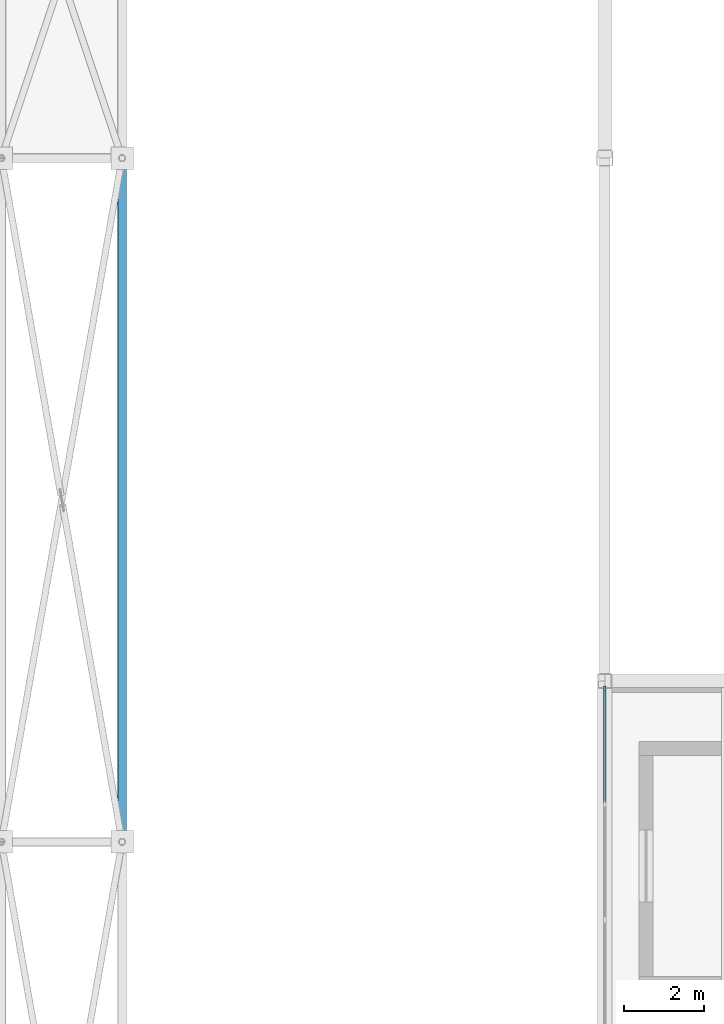
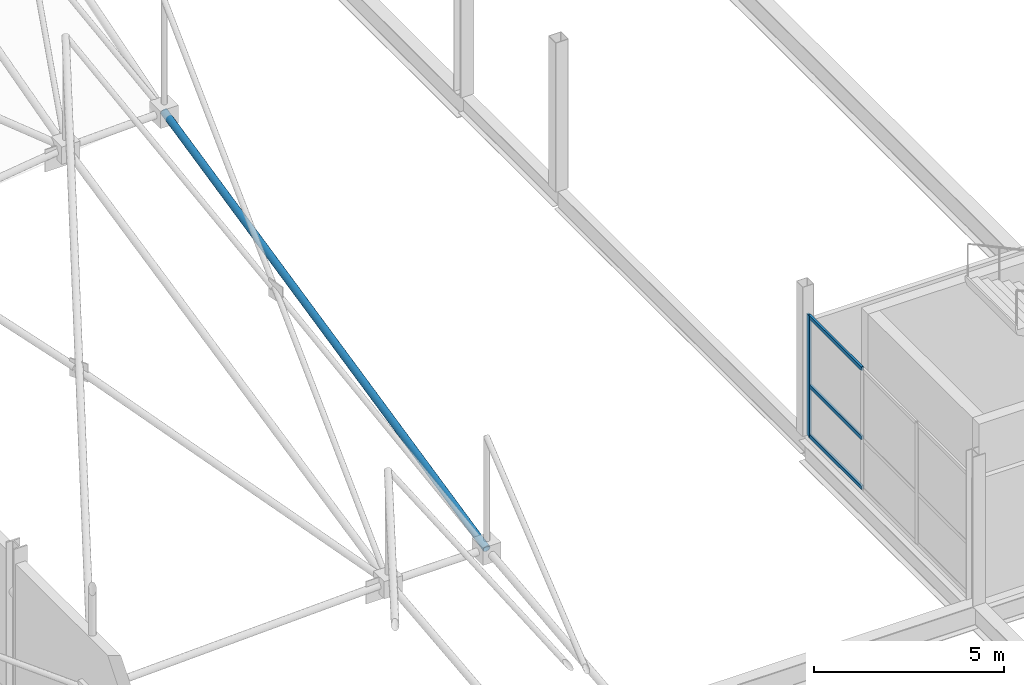
# One storey, part 149 of 224: 5 members, 1 element without a shape of its own.
"""IFC4 building model written with IfcOpenShell, lengths in metres."""

from ifc_helpers import new_model, si_unit, direction, frame, origin, origin_2d, place, context, subcontext, project, spatial, rectangle, hollow_circle, extrude, material, layer, layer_set, material_profile, profile_set, type_object, element, aggregate, save


model = new_model("IFC4")

# Units and contexts
model_context = context("Model", 3, precision=1e-05, world=origin(), true_north=direction((0.0, 1.0)))
body_context = subcontext(model_context, "Body", "Model", "MODEL_VIEW")
ifc_project = project(units=[si_unit("LENGTHUNIT", "METRE"), si_unit("AREAUNIT", "SQUARE_METRE"), si_unit("VOLUMEUNIT", "CUBIC_METRE"), si_unit("PLANEANGLEUNIT", "RADIAN"), si_unit("MASSUNIT", "GRAM", prefix="KILO")], contexts=[model_context])

# Site, building, storey
site_placement = place(None, origin())
site = spatial("IfcSite", under=ifc_project, at=site_placement, CompositionType="ELEMENT")
building_placement = place(site_placement, origin())
building = spatial("IfcBuilding", under=site, at=building_placement, Name="Qamarlyn Nura Convention Centre", CompositionType="ELEMENT")
storey_placement = place(building_placement, frame((0.0, 0.0, 10.800048828125)))
storey = spatial("IfcBuildingStorey", under=building, at=storey_placement, Name="L02", CompositionType="ELEMENT", Elevation=10.800048828125)

# Curtain wall, members
ifc_material_1 = material(Name="Double-silver low-E insulated glass", Category="glass")
ifc_layer = layer(ifc_material_1, 0.179931640625, Name="CW-UNIT-111")
ifc_layer_set = layer_set([ifc_layer], Name="Double-silver low-E insulated glass")
curtain_wall_type = type_object("IfcCurtainWallType", Name="CW-UNIT-111", PredefinedType="NOTDEFINED", material=ifc_layer_set)
curtain_wall_placement = place(storey_placement, origin())
curtain_wall = element("IfcCurtainWall", 1, at=curtain_wall_placement, inside=storey, type_object=curtain_wall_type, Name="L02 unitised curtain wall PLW-81-1", PredefinedType="NOTDEFINED")
ifc_material_2 = material(Name="Champagne-anodised marine aluminium", Category="aluminium")
ifc_material_profile_1 = material_profile(ifc_material_2, rectangle(XDim=0.06494140625, YDim=0.159912109375, at=origin_2d()), Name="ALU MULLION 65x160")
ifc_profile_set_1 = profile_set([ifc_material_profile_1], Name="Champagne-anodised marine aluminium")
member_type_1 = type_object("IfcMemberType", Name="CWM-160", PredefinedType="MULLION", material=ifc_profile_set_1)
member_1_placement = place(storey_placement, frame((144.0, 89.79248046875, 0.0), z_axis=(0.0, 0.0, 1.0), x_axis=(-1.0, 0.0, 0.0)))
member_1 = element("IfcMember", 2, at=member_1_placement, type_object=member_type_1, Name="CW111 mullion 4", PredefinedType="MULLION", context=body_context, shape_type="SweptSolid", body=[
    extrude(rectangle(XDim=0.06494140625, YDim=0.159912109375, at=origin_2d()), origin(), (0.0, 0.0, 1.0), 3.889892578125),
])
ifc_material_profile_2 = material_profile(ifc_material_2, rectangle(XDim=0.06494140625, YDim=0.1201171875, at=origin_2d()), Name="ALU TRANSOM 65x120")
ifc_profile_set_2 = profile_set([ifc_material_profile_2], Name="Champagne-anodised marine aluminium")
member_type_2 = type_object("IfcMemberType", Name="CWT-120", PredefinedType="USERDEFINED", material=ifc_profile_set_2)
member_2_placement = place(storey_placement, frame((144.0, 86.977783203125, 0.032470703125), z_axis=(0.0, 1.0, 0.0), x_axis=(-1.0, 0.0, 0.0)))
member_2 = element("IfcMember", 3, at=member_2_placement, type_object=member_type_2, Name="CW111 transom 3.1", ObjectType="TRANSOM", PredefinedType="USERDEFINED", context=body_context, shape_type="SweptSolid", body=[
    extrude(rectangle(XDim=0.06494140625, YDim=0.1201171875, at=origin_2d()), origin(), (0.0, 0.0, 1.0), 2.7822265625),
])
member_3_placement = place(storey_placement, frame((144.0, 86.977783203125, 1.634033203125), z_axis=(0.0, 1.0, 0.0), x_axis=(-1.0, 0.0, 0.0)))
member_3 = element("IfcMember", 4, at=member_3_placement, type_object=member_type_2, Name="CW111 transom 3.2", ObjectType="TRANSOM", PredefinedType="USERDEFINED", context=body_context, shape_type="SweptSolid", body=[
    extrude(rectangle(XDim=0.06494140625, YDim=0.1201171875, at=origin_2d()), origin(), (0.0, 0.0, 1.0), 2.7822265625),
])
member_4_placement = place(storey_placement, frame((144.0, 86.977783203125, 3.857421875), z_axis=(0.0, 1.0, 0.0), x_axis=(-1.0, 0.0, 0.0)))
member_4 = element("IfcMember", 5, at=member_4_placement, type_object=member_type_2, Name="CW111 transom 3.3", ObjectType="TRANSOM", PredefinedType="USERDEFINED", context=body_context, shape_type="SweptSolid", body=[
    extrude(rectangle(XDim=0.06494140625, YDim=0.1201171875, at=origin_2d()), origin(), (0.0, 0.0, 1.0), 2.7822265625),
])
aggregate(curtain_wall, [member_1, member_2, member_3, member_4])

# Member
ifc_material_3 = material(Name="Pearl-white PVDF steel ASTM A500 Grade C", Category="steel")
ifc_material_profile_3 = material_profile(ifc_material_3, hollow_circle(Radius=0.109619140625, WallThickness=0.010009765625, at=origin_2d()), Name="CHS219.1X10")
ifc_profile_set_3 = profile_set([ifc_material_profile_3], Name="Pearl-white PVDF steel ASTM A500 Grade C")
member_type_3 = type_object("IfcMemberType", Name="SF-BC-EAVE", PredefinedType="CHORD", material=ifc_profile_set_3)
member_5_placement = place(storey_placement, frame((132.0, 86.0, 2.857666015625), z_axis=(0.0, 0.976526723381, 0.21539628252), x_axis=(-1.0, 0.0, 0.0)))
element("IfcMember", 6, at=member_5_placement, inside=storey, type_object=member_type_3, Name="ROOF TRUSS space frame bottom chord Y12-6", PredefinedType="CHORD", context=body_context, shape_type="SweptSolid", body=[
    extrude(hollow_circle(Radius=0.109619140625, WallThickness=0.010009765625, at=origin_2d()), origin(), (0.0, 0.0, 1.0), 17.40869140625),
])

save(model, "model.ifc")
